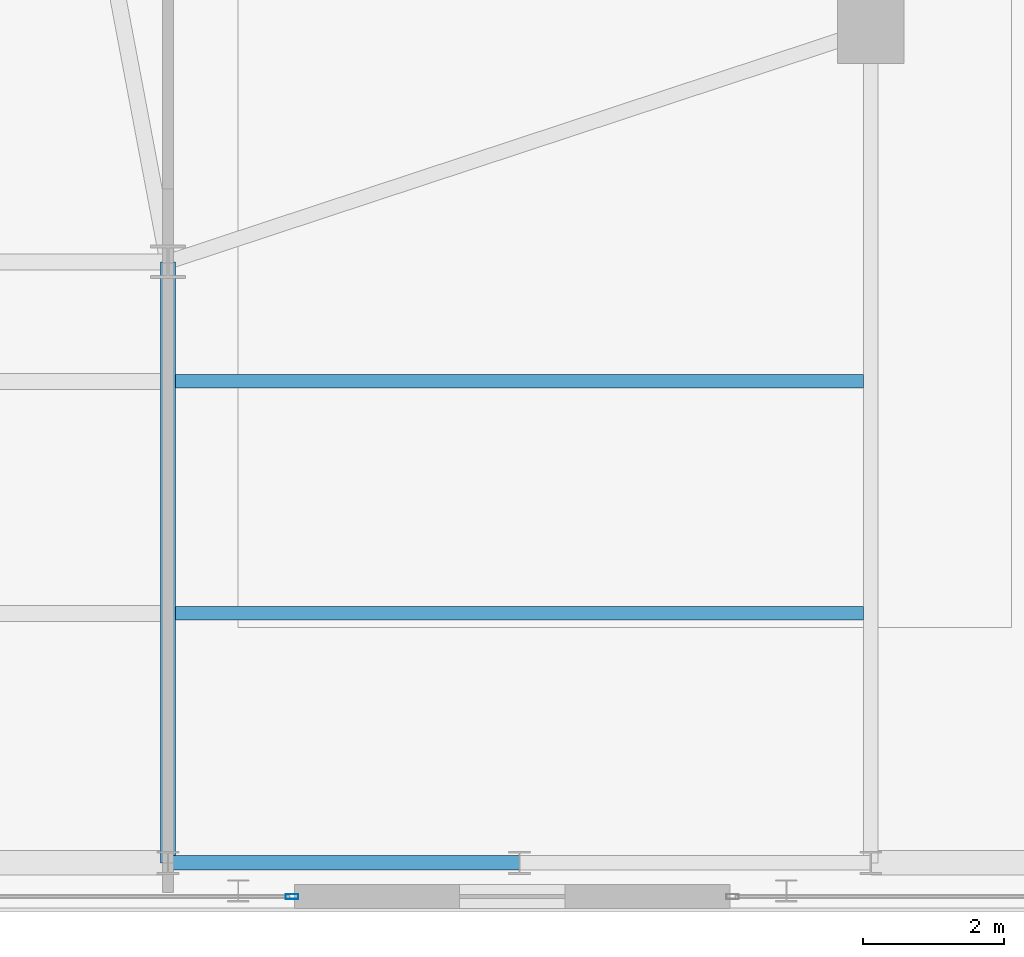
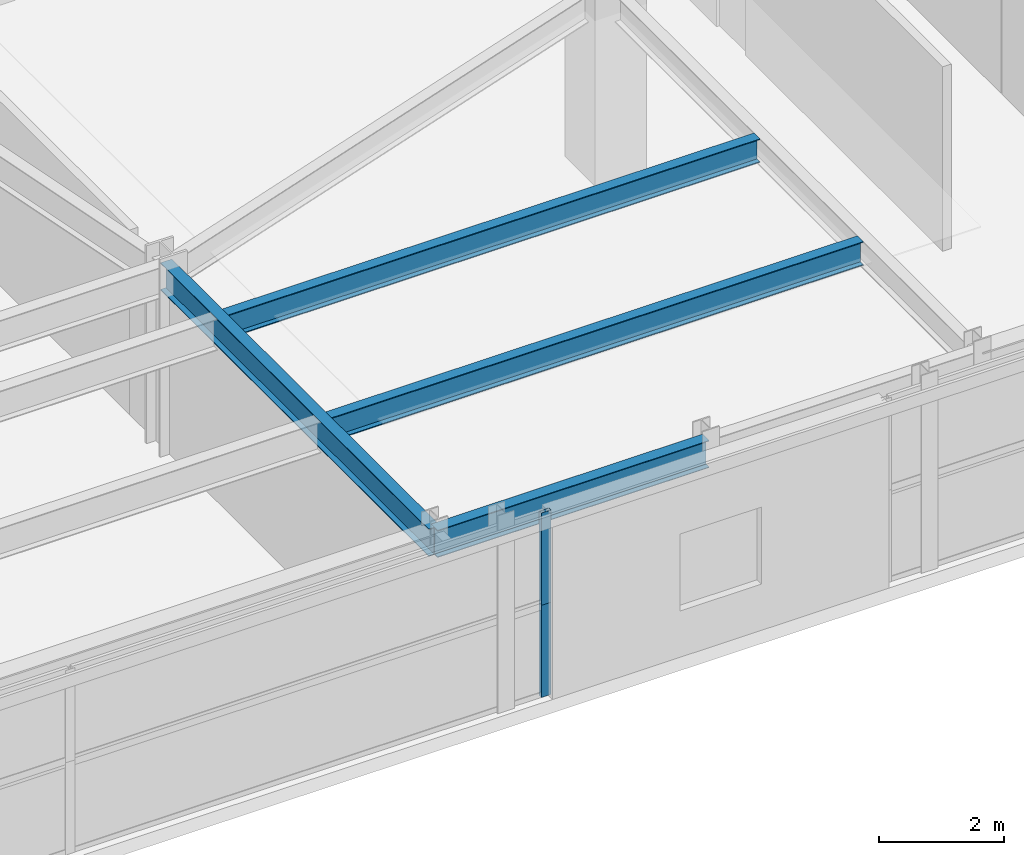
# One storey, part 14 of 26: 4 beams, 2 members, 2 elements without a shape of their own.
"""IFC4 building model written with IfcOpenShell, lengths in metres."""

import ifcopenshell
import ifcopenshell.guid

model = None  # the IFC model being written
_history = None  # IfcOwnerHistory: only IFC2X3 demands one
_inside = {}  # id of a spatial element -> (the spatial element, [elements in it])
_under = {}  # id of a project, library or spatial element -> (it, [spatial elements below it])
_declared = {}  # id of a project -> (the project, [libraries it declares])
_typed = {}  # id of a type object -> (the type object, [elements of that type])
_made_of = {}  # id of a material, layer set ... -> (it, [elements and type objects made of it])


def new_model(schema):
    """Start an empty IFC model of exactly this schema.

    Asked for "IFC4X3", IfcOpenShell would pick the latest addendum, in which some entities
    have other attributes; the version numbers below select the first issue.
    IFC2X3 requires an IfcOwnerHistory on every rooted entity: one is made here for all.
    """
    global model, _history
    if schema == "IFC4X3":
        model = ifcopenshell.file(schema_version=(4, 3, 0, 0))
    else:
        model = ifcopenshell.file(schema=schema)
    _inside.clear()
    _under.clear()
    _declared.clear()
    _typed.clear()
    _made_of.clear()
    _history = None
    if model.schema == "IFC2X3":
        org = make("IfcOrganization", Name="unknown")
        user = make(
            "IfcPersonAndOrganization",
            ThePerson=make("IfcPerson", FamilyName="unknown"),
            TheOrganization=org,
        )
        app = make(
            "IfcApplication",
            ApplicationDeveloper=org,
            Version="unknown",
            ApplicationFullName="unknown",
            ApplicationIdentifier="unknown",
        )
        _history = make(
            "IfcOwnerHistory",
            OwningUser=user,
            OwningApplication=app,
            ChangeAction="ADDED",
            CreationDate=0,
        )
    return model


def make(cls, **values):
    """One entity of the class cls with the attributes given. An attribute that is None is left unset."""
    return model.create_entity(
        cls, **{name: value for name, value in values.items() if value is not None}
    )


def rooted(cls, **values):
    """An entity with a GlobalId (a new one), such as an element, a storey or a relation."""
    return make(cls, GlobalId=ifcopenshell.guid.new(), OwnerHistory=_history, **values)


def si_unit(unit_type, name, prefix=None):
    """IfcSIUnit, for example si_unit("LENGTHUNIT", "METRE", prefix="MILLI")."""
    return make("IfcSIUnit", UnitType=unit_type, Prefix=prefix, Name=name)


def assignment(units):
    """IfcUnitAssignment: the units of a project."""
    return None if units is None else make("IfcUnitAssignment", Units=units)


def point(xyz):
    """IfcCartesianPoint."""
    return None if xyz is None else make("IfcCartesianPoint", Coordinates=xyz)


def direction(xyz):
    """IfcDirection."""
    return None if xyz is None else make("IfcDirection", DirectionRatios=xyz)


def frame(location, z_axis=None, x_axis=None):
    """IfcAxis2Placement3D, a coordinate frame: its origin and axes. An axis left out is left unset."""
    return make(
        "IfcAxis2Placement3D",
        Location=point(location),
        Axis=direction(z_axis),
        RefDirection=direction(x_axis),
    )


def frame_2d(location, x_axis=None):
    """IfcAxis2Placement2D, a coordinate frame in the plane: its origin and x axis."""
    return make(
        "IfcAxis2Placement2D", Location=point(location), RefDirection=direction(x_axis)
    )


def origin():
    """The frame at (0, 0, 0) with its axes left unset."""
    return frame((0.0, 0.0, 0.0))


def origin_2d():
    """The frame at (0, 0) in the plane with its x axis left unset."""
    return frame_2d((0.0, 0.0))


def place(relative_to, where):
    """IfcLocalPlacement: puts the frame where relative to a parent placement (None: the world)."""
    return make(
        "IfcLocalPlacement", PlacementRelTo=relative_to, RelativePlacement=where
    )


def context(
    kind, dimensions, precision=None, world=None, true_north=None, identifier=None
):
    """IfcGeometricRepresentationContext, for example the 3D "Model" context."""
    return make(
        "IfcGeometricRepresentationContext",
        ContextIdentifier=identifier,
        ContextType=kind,
        CoordinateSpaceDimension=dimensions,
        Precision=precision,
        WorldCoordinateSystem=world,
        TrueNorth=true_north,
    )


def subcontext(parent, identifier, kind, view, scale=None):
    """IfcGeometricRepresentationSubContext, for example "Body" below "Model"."""
    return make(
        "IfcGeometricRepresentationSubContext",
        ContextIdentifier=identifier,
        ContextType=kind,
        ParentContext=parent,
        TargetScale=scale,
        TargetView=view,
    )


def project(units=None, contexts=None):
    """IfcProject with its units and contexts."""
    return rooted(
        "IfcProject",
        Name="project",
        RepresentationContexts=contexts,
        UnitsInContext=assignment(units),
    )


def spatial(cls, under=None, at=None, **own):
    """A site, building, storey or space (cls), placed at a placement, below another one or the project."""
    s = rooted(cls, ObjectPlacement=at, **own)
    if under is not None:
        _under.setdefault(under.id(), (under, []))[1].append(s)
    return s


def profile(cls, at=None, kind="AREA", **sizes):
    """A parametric profile (cls). Its sizes go by their IFC names, for example OverallWidth=200.0."""
    return make(cls, ProfileType=kind, Position=at, **sizes)


def hollow_rectangle(**sizes):
    """IfcRectangleHollowProfileDef."""
    return profile("IfcRectangleHollowProfileDef", **sizes)


def i_section(**sizes):
    """IfcIShapeProfileDef."""
    return profile("IfcIShapeProfileDef", **sizes)


def extrude(swept, where, along, depth):
    """IfcExtrudedAreaSolid: the profile swept, set in the frame where, extruded along a direction by depth."""
    return make(
        "IfcExtrudedAreaSolid",
        SweptArea=swept,
        Position=where,
        ExtrudedDirection=direction(along),
        Depth=depth,
    )


def shape(context_of_items, identifier, shape_type, items):
    """IfcShapeRepresentation: the items that make up one representation, for example the "Body"."""
    return make(
        "IfcShapeRepresentation",
        ContextOfItems=context_of_items,
        RepresentationIdentifier=identifier,
        RepresentationType=shape_type,
        Items=items,
    )


def source(mapping_origin, context_of_items, identifier, shape_type, items):
    """IfcRepresentationMap: a shape defined once, which mapped items show again and again."""
    return make(
        "IfcRepresentationMap",
        MappingOrigin=mapping_origin,
        MappedRepresentation=shape(context_of_items, identifier, shape_type, items),
    )


def transform(
    local_origin,
    x_axis=None,
    y_axis=None,
    z_axis=None,
    scale=None,
    scale2=None,
    scale3=None,
    uniform=True,
):
    """IfcCartesianTransformationOperator3D, or its non-uniform kind. x_axis, y_axis, z_axis: its Axis1, 2, 3."""
    if uniform:
        return make(
            "IfcCartesianTransformationOperator3D",
            Axis1=direction(x_axis),
            Axis2=direction(y_axis),
            LocalOrigin=point(local_origin),
            Scale=scale,
            Axis3=direction(z_axis),
        )
    return make(
        "IfcCartesianTransformationOperator3DnonUniform",
        Axis1=direction(x_axis),
        Axis2=direction(y_axis),
        LocalOrigin=point(local_origin),
        Scale=scale,
        Axis3=direction(z_axis),
        Scale2=scale2,
        Scale3=scale3,
    )


def mapped(mapping_source, mapping_target):
    """IfcMappedItem: shows the shape of a source again, moved by a transform."""
    return make(
        "IfcMappedItem", MappingSource=mapping_source, MappingTarget=mapping_target
    )


def material(Name=None, Category=None):
    """IfcMaterial."""
    return make("IfcMaterial", Name=Name, Category=Category)


def layer(
    of_material, thickness, ventilated=None, Name=None, Category=None, Priority=None
):
    """IfcMaterialLayer: one layer of a wall or slab, of a material (None: an air gap)."""
    return make(
        "IfcMaterialLayer",
        Material=of_material,
        LayerThickness=thickness,
        IsVentilated=ventilated,
        Name=Name,
        Category=Category,
        Priority=Priority,
    )


def layer_set(layers, Name=None):
    """IfcMaterialLayerSet."""
    return make("IfcMaterialLayerSet", MaterialLayers=layers, LayerSetName=Name)


def material_profile(
    of_material, cross_section, Name=None, Category=None, Priority=None
):
    """IfcMaterialProfile: a cross section and its material."""
    return make(
        "IfcMaterialProfile",
        Name=Name,
        Material=of_material,
        Profile=cross_section,
        Priority=Priority,
        Category=Category,
    )


def profile_set(profiles, Name=None, composite=None):
    """IfcMaterialProfileSet."""
    return make(
        "IfcMaterialProfileSet",
        Name=Name,
        MaterialProfiles=profiles,
        CompositeProfile=composite,
    )


def made_of(thing, what):
    """Note that an element or type object is made of a material, layer set ...; save() writes the relation."""
    if what is not None:
        _made_of.setdefault(what.id(), (what, []))[1].append(thing)
    return thing


def type_object(cls, material=None, **own):
    """A type object (cls), such as IfcWallType, which elements share."""
    return made_of(rooted(cls, **own), material)


def element(
    cls,
    number,
    at=None,
    inside=None,
    cuts=None,
    type_object=None,
    material=None,
    context=None,
    identifier="Body",
    shape_type=None,
    held_by="IfcProductDefinitionShape",
    body=None,
    shapes=None,
    **own,
):
    """One element of the class cls, such as IfcWall. Its Tag is "e" and its number.

    at: its placement. inside: the storey or other place that contains it. cuts: it is an
    opening in that element (IfcRelVoidsElement). A single representation is given by context,
    identifier, shape_type and body (its items); several are given by shapes. held_by: the class
    of the entity that holds the representations. save() writes the other relations.
    """
    e = rooted(cls, Tag="e%d" % number, ObjectPlacement=at, **own)
    if body is not None:
        shapes = [shape(context, identifier, shape_type, body)]
    if shapes is not None:
        e.Representation = make(held_by, Representations=shapes)
    if inside is not None:
        _inside.setdefault(inside.id(), (inside, []))[1].append(e)
    if cuts is not None:
        rooted(
            "IfcRelVoidsElement", RelatingBuildingElement=cuts, RelatedOpeningElement=e
        )
    if type_object is not None:
        _typed.setdefault(type_object.id(), (type_object, []))[1].append(e)
    return made_of(e, material)


def aggregate(whole, parts):
    """IfcRelAggregates: a whole, such as a stair, and the parts it consists of."""
    return rooted("IfcRelAggregates", RelatingObject=whole, RelatedObjects=parts)


def save(model, path):
    """Write the relations noted so far, then the file.

    IfcRelAggregates (storeys below a building ...), IfcRelContainedInSpatialStructure (elements
    in a storey), IfcRelDefinesByType, IfcRelAssociatesMaterial and IfcRelDeclares: one each for
    every whole, place, type object, material and project.
    """
    for whole, parts in _under.values():
        aggregate(whole, parts)
    for where, things in _inside.values():
        rooted(
            "IfcRelContainedInSpatialStructure",
            RelatedElements=things,
            RelatingStructure=where,
        )
    for kind, things in _typed.values():
        rooted("IfcRelDefinesByType", RelatedObjects=things, RelatingType=kind)
    for what, things in _made_of.values():
        rooted("IfcRelAssociatesMaterial", RelatedObjects=things, RelatingMaterial=what)
    for by, libraries in _declared.values():
        rooted("IfcRelDeclares", RelatingContext=by, RelatedDefinitions=libraries)
    model.write(path)


model = new_model("IFC4")

# Units and contexts
model_context = context("Model", 3, precision=1e-05, world=origin(), true_north=direction((0.0, 1.0)))
body_context = subcontext(model_context, "Body", "Model", "MODEL_VIEW")
ifc_project = project(units=[si_unit("LENGTHUNIT", "METRE"), si_unit("AREAUNIT", "SQUARE_METRE"), si_unit("VOLUMEUNIT", "CUBIC_METRE"), si_unit("PLANEANGLEUNIT", "RADIAN"), si_unit("MASSUNIT", "GRAM", prefix="KILO")], contexts=[model_context])

# Site, building, storey
site_placement = place(None, origin())
site = spatial("IfcSite", under=ifc_project, at=site_placement, CompositionType="ELEMENT")
building_placement = place(site_placement, origin())
building = spatial("IfcBuilding", under=site, at=building_placement, Name="Taldren Reach Tower", CompositionType="ELEMENT")
storey_placement = place(building_placement, frame((0.0, 0.0, 4.550048828125)))
storey = spatial("IfcBuildingStorey", under=building, at=storey_placement, Name="L01", CompositionType="ELEMENT", Elevation=4.550048828125)

# Beams
ifc_material_1 = material(Name="Steel Gr 350 (350PLUS)", Category="steel")
ifc_material_profile_1 = material_profile(ifc_material_1, i_section(OverallWidth=0.208984375, OverallDepth=0.528076171875, WebThickness=0.009521484375, FlangeThickness=0.01318359375, at=origin_2d()), Name="530UB82.0")
ifc_profile_set_1 = profile_set([ifc_material_profile_1], Name="Steel Gr 350 (350PLUS)")
beam_type_1 = type_object("IfcBeamType", Name="SP-UB530B", PredefinedType="SPANDREL", material=ifc_profile_set_1)
shared_shape_1 = source(origin(), body_context, "Body", "SweptSolid", [
    extrude(i_section(OverallWidth=0.208984375, OverallDepth=0.528076171875, WebThickness=0.009521484375, FlangeThickness=0.01318359375, at=origin_2d()), origin(), (0.0, 0.0, 1.0), 5.0),
])
beam_1_placement = place(storey_placement, frame((42.0, 0.64990234375, 3.325927734375), z_axis=(1.0, 0.0, 0.0), x_axis=(0.0, 1.0, 0.0)))
element("IfcBeam", 1, at=beam_1_placement, inside=storey, type_object=beam_type_1, Name="Podium beam L01-PD05", PredefinedType="SPANDREL", context=body_context, shape_type="MappedRepresentation", body=[
    mapped(shared_shape_1, transform((0.0, 0.0, 0.0), scale=1.0)),
])
ifc_material_profile_2 = material_profile(ifc_material_1, i_section(OverallWidth=0.208984375, OverallDepth=0.532958984375, WebThickness=0.01025390625, FlangeThickness=0.015625, at=origin_2d()), Name="530UB92.4")
ifc_profile_set_2 = profile_set([ifc_material_profile_2], Name="Steel Gr 350 (350PLUS)")
beam_type_2 = type_object("IfcBeamType", Name="BM-UB530A", PredefinedType="BEAM", material=ifc_profile_set_2)
shared_shape_2 = source(origin(), body_context, "Body", "SweptSolid", [
    extrude(i_section(OverallWidth=0.208984375, OverallDepth=0.532958984375, WebThickness=0.01025390625, FlangeThickness=0.015625, at=origin_2d()), origin(), (0.0, 0.0, 1.0), 8.550048828125),
])
beam_2_placement = place(storey_placement, frame((42.0, 0.64990234375, 3.323486328125), z_axis=(0.0, 1.0, 0.0), x_axis=(-1.0, 0.0, 0.0)))
element("IfcBeam", 2, at=beam_2_placement, inside=storey, type_object=beam_type_2, Name="Podium beam L01-PD24", PredefinedType="BEAM", context=body_context, shape_type="MappedRepresentation", body=[
    mapped(shared_shape_2, transform((0.0, 0.0, 0.0), scale=1.0)),
])
ifc_material_profile_3 = material_profile(ifc_material_1, i_section(OverallWidth=0.19091796875, OverallDepth=0.4599609375, WebThickness=0.010009765625, FlangeThickness=0.01611328125, at=origin_2d()), Name="460UB82.1")
ifc_profile_set_3 = profile_set([ifc_material_profile_3], Name="Steel Gr 350 (350PLUS)")
beam_type_3 = type_object("IfcBeamType", Name="BM-UB460A", PredefinedType="BEAM", material=ifc_profile_set_3)
shared_shape_3 = source(origin(), body_context, "Body", "SweptSolid", [
    extrude(i_section(OverallWidth=0.19091796875, OverallDepth=0.4599609375, WebThickness=0.010009765625, FlangeThickness=0.01611328125, at=origin_2d()), origin(), (0.0, 0.0, 1.0), 9.791015625),
])
for number, where, z_axis, x_axis, name in (
    (3, (42.1044921875, 4.199951171875, 3.35986328125), (1.0, 0.0, 0.0), (0.0, 1.0, 0.0), "Podium composite floor beam L01-1.3"),
    (4, (42.1044921875, 7.5, 3.35986328125), (1.0, 0.0, 0.0), (0.0, 1.0, 0.0), "Podium composite floor beam L01-2.3"),
):
    element("IfcBeam", number, at=place(storey_placement, frame(where, z_axis=z_axis, x_axis=x_axis)), inside=storey, type_object=beam_type_3, Name=name, PredefinedType="BEAM", context=body_context, shape_type="MappedRepresentation", body=[
        mapped(shared_shape_3, transform((0.0, 0.0, 0.0), scale=1.0)),
    ])

# Curtain wall, member
ifc_material_2 = material(Name="Aluminium and Low-E Glass Unitised System", Category="aluminium")
ifc_layer = layer(ifc_material_2, 0.159912109375)
ifc_layer_set = layer_set([ifc_layer], Name="Aluminium and Low-E Glass Unitised System")
curtain_wall_type = type_object("IfcCurtainWallType", Name="CW-SYS-1", PredefinedType="NOTDEFINED", material=ifc_layer_set)
curtain_wall_1_placement = place(storey_placement, origin())
curtain_wall_1 = element("IfcCurtainWall", 5, at=curtain_wall_1_placement, inside=storey, type_object=curtain_wall_type, Name="Unitised curtain wall CW1-L01-S2", PredefinedType="NOTDEFINED")
ifc_material_3 = material(Name="Anodised Aluminium 6063-T6", Category="aluminium")
ifc_material_profile_4 = material_profile(ifc_material_3, hollow_rectangle(XDim=0.070068359375, YDim=0.179931640625, WallThickness=0.00390625, at=origin_2d()), Name="ALU-180x70x4RHS")
ifc_profile_set_4 = profile_set([ifc_material_profile_4], Name="Anodised Aluminium 6063-T6")
member_type = type_object("IfcMemberType", Name="CW-MUL-180", PredefinedType="MULLION", material=ifc_profile_set_4)
shared_shape_4 = source(origin(), body_context, "Body", "SweptSolid", [
    extrude(hollow_rectangle(XDim=0.070068359375, YDim=0.179931640625, WallThickness=0.00390625, at=origin_2d()), origin(), (0.0, 0.0, 1.0), 1.794921875),
])
member_1_placement = place(storey_placement, frame((43.764892578125, 0.169921875, 0.0), z_axis=(0.0, 0.0, 1.0), x_axis=(0.0, 1.0, 0.0)))
member_1 = element("IfcMember", 6, at=member_1_placement, type_object=member_type, Name="CW-1 mullion 3", PredefinedType="MULLION", context=body_context, shape_type="MappedRepresentation", body=[
    mapped(shared_shape_4, transform((0.0, 0.0, 0.0), scale=1.0)),
])
aggregate(curtain_wall_1, [member_1])

curtain_wall_2_placement = place(storey_placement, origin())
curtain_wall_2 = element("IfcCurtainWall", 7, at=curtain_wall_2_placement, inside=storey, type_object=curtain_wall_type, Name="Unitised curtain wall CW1-L01-S2-T2", PredefinedType="NOTDEFINED")
member_2_placement = place(storey_placement, frame((43.764892578125, 0.169921875, 1.794921875), z_axis=(0.0, 0.0, 1.0), x_axis=(0.0, 1.0, 0.0)))
member_2 = element("IfcMember", 8, at=member_2_placement, type_object=member_type, Name="CW-1 mullion 3", PredefinedType="MULLION", context=body_context, shape_type="MappedRepresentation", body=[
    mapped(shared_shape_4, transform((0.0, 0.0, 0.0), scale=1.0)),
])
aggregate(curtain_wall_2, [member_2])

save(model, "model.ifc")
